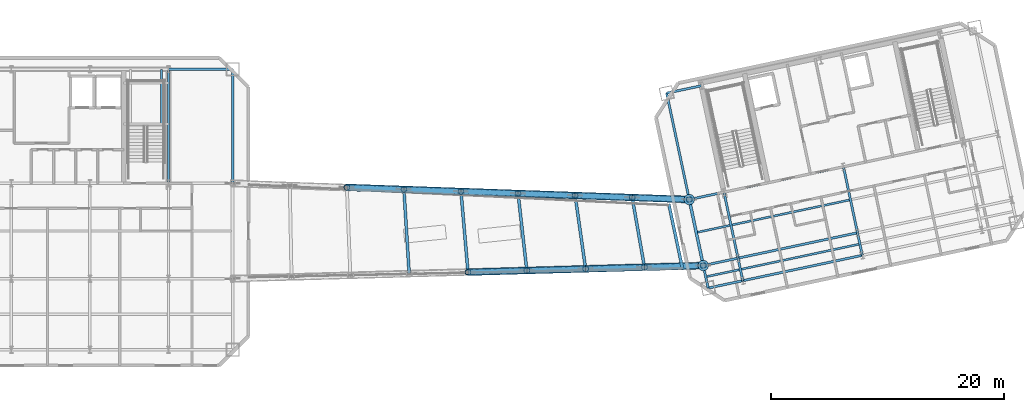
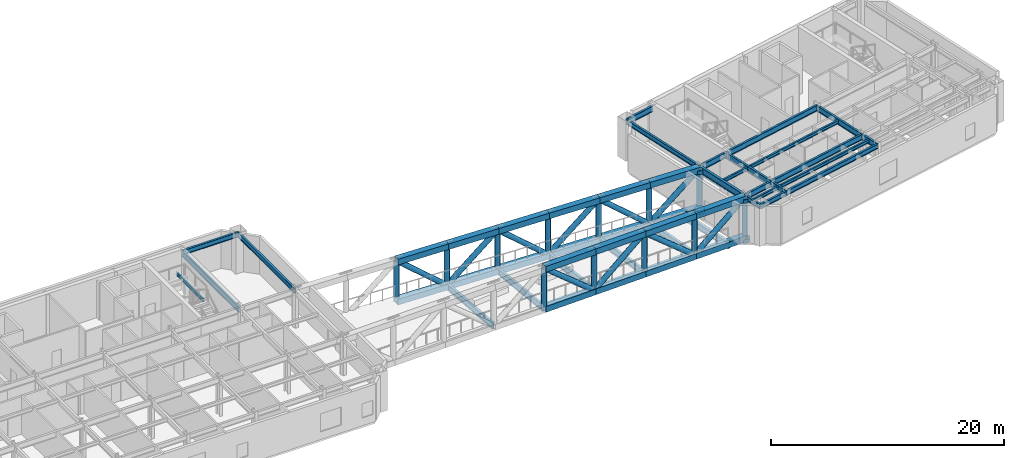
# One storey, part 4 of 14: 46 members, 28 beams.
"""IFC4 building model written with IfcOpenShell, lengths in metres."""

from ifc_helpers import new_model, si_unit, direction, frame, origin, origin_2d, place, context, subcontext, project, spatial, hollow_rectangle, circle, hollow_circle, i_section, extrude, material, material_profile, profile_set, type_object, element, save


model = new_model("IFC4")

# Units and contexts
model_context = context("Model", 3, precision=1e-05, world=origin(), true_north=direction((0.0, 1.0)))
body_context = subcontext(model_context, "Body", "Model", "MODEL_VIEW")
ifc_project = project(units=[si_unit("LENGTHUNIT", "METRE"), si_unit("AREAUNIT", "SQUARE_METRE"), si_unit("VOLUMEUNIT", "CUBIC_METRE"), si_unit("PLANEANGLEUNIT", "RADIAN"), si_unit("MASSUNIT", "GRAM", prefix="KILO")], contexts=[model_context])

# Site, building, storey
site_placement = place(None, origin())
site = spatial("IfcSite", under=ifc_project, at=site_placement, CompositionType="ELEMENT")
building_placement = place(site_placement, origin())
building = spatial("IfcBuilding", under=site, at=building_placement, Name="Haevon Station Towers", CompositionType="ELEMENT")
storey_placement = place(building_placement, frame((0.0, 0.0, 201.300048828125)))
storey = spatial("IfcBuildingStorey", under=building, at=storey_placement, Name="L55", CompositionType="ELEMENT", Elevation=201.300048828125)

# Beams
ifc_material_1 = material(Name="Steel S355", Category="steel")
ifc_material_profile_1 = material_profile(ifc_material_1, i_section(OverallWidth=0.199951171875, OverallDepth=0.60009765625, WebThickness=0.010986328125, FlangeThickness=0.01708984375, at=origin_2d()), Name="H-600x200x11x17")
ifc_profile_set_1 = profile_set([ifc_material_profile_1], Name="Steel S355")
beam_type_1 = type_object("IfcBeamType", Name="BM-G600", PredefinedType="BEAM", material=ifc_profile_set_1)
beam_1_placement = place(storey_placement, frame((51.0, 38.199951171875, 3.64990234375), z_axis=(0.0, 1.0, 0.0), x_axis=(-1.0, 0.0, 0.0)))
element("IfcBeam", 1, at=beam_1_placement, inside=storey, type_object=beam_type_1, Name="BM-T1V-L55-06-03", PredefinedType="BEAM", context=body_context, shape_type="SweptSolid", body=[
    extrude(i_section(OverallWidth=0.199951171875, OverallDepth=0.60009765625, WebThickness=0.010986328125, FlangeThickness=0.01708984375, at=origin_2d()), origin(), (0.0, 0.0, 1.0), 9.800048828125),
])
beam_2_placement = place(storey_placement, frame((96.974853515625, 31.135009765625, 3.64990234375), z_axis=(0.978154782045, 0.207877902534, 0.0), x_axis=(-0.207877902534, 0.978154782045, 0.0)))
element("IfcBeam", 2, at=beam_2_placement, inside=storey, type_object=beam_type_1, Name="BM-T2U-L55-02-01", PredefinedType="BEAM", context=body_context, shape_type="SweptSolid", body=[
    extrude(i_section(OverallWidth=0.199951171875, OverallDepth=0.60009765625, WebThickness=0.010986328125, FlangeThickness=0.01708984375, at=origin_2d()), origin(), (0.0, 0.0, 1.0), 3.050048828125),
])
beam_3_placement = place(storey_placement, frame((99.958251953125, 31.76904296875, 3.64990234375), z_axis=(0.978146794194, 0.207915485254, 0.0), x_axis=(-0.207915485254, 0.978146794194, 0.0)))
element("IfcBeam", 3, at=beam_3_placement, inside=storey, type_object=beam_type_1, Name="BM-T2U-L55-02-02", PredefinedType="BEAM", context=body_context, shape_type="SweptSolid", body=[
    extrude(i_section(OverallWidth=0.199951171875, OverallDepth=0.60009765625, WebThickness=0.010986328125, FlangeThickness=0.01708984375, at=origin_2d()), origin(), (0.0, 0.0, 1.0), 10.5),
])
beam_4_placement = place(storey_placement, frame((95.76904296875, 36.808349609375, 3.64990234375), z_axis=(0.978154782045, 0.207877902534, 0.0), x_axis=(-0.207877902534, 0.978154782045, 0.0)))
element("IfcBeam", 4, at=beam_4_placement, inside=storey, type_object=beam_type_1, Name="BM-T2U-L55-03-01", PredefinedType="BEAM", context=body_context, shape_type="SweptSolid", body=[
    extrude(i_section(OverallWidth=0.199951171875, OverallDepth=0.60009765625, WebThickness=0.010986328125, FlangeThickness=0.01708984375, at=origin_2d()), origin(), (0.0, 0.0, 1.0), 3.050048828125),
])
beam_5_placement = place(storey_placement, frame((98.75244140625, 37.4423828125, 3.64990234375), z_axis=(0.978146794194, 0.207915485254, 0.0), x_axis=(-0.207915485254, 0.978146794194, 0.0)))
element("IfcBeam", 5, at=beam_5_placement, inside=storey, type_object=beam_type_1, Name="BM-T2U-L55-03-02", PredefinedType="BEAM", context=body_context, shape_type="SweptSolid", body=[
    extrude(i_section(OverallWidth=0.199951171875, OverallDepth=0.60009765625, WebThickness=0.010986328125, FlangeThickness=0.01708984375, at=origin_2d()), origin(), (0.0, 0.0, 1.0), 10.5),
])
beam_6_placement = place(storey_placement, frame((93.824951171875, 45.953857421875, 3.64990234375), z_axis=(0.978138503145, 0.207954487003, 0.0), x_axis=(-0.207954487003, 0.978138503145, 0.0)))
element("IfcBeam", 6, at=beam_6_placement, inside=storey, type_object=beam_type_1, Name="BM-T2U-L55-04-01", PredefinedType="BEAM", context=body_context, shape_type="SweptSolid", body=[
    extrude(i_section(OverallWidth=0.199951171875, OverallDepth=0.60009765625, WebThickness=0.010986328125, FlangeThickness=0.01708984375, at=origin_2d()), origin(), (0.0, 0.0, 1.0), 3.050048828125),
])
beam_7_placement = place(storey_placement, frame((100.369873046875, 29.83251953125, 3.64990234375), z_axis=(-0.207911850433, 0.978147566806, 0.0), x_axis=(-0.978147566806, -0.207911850433, 0.0)))
element("IfcBeam", 7, at=beam_7_placement, inside=storey, type_object=beam_type_1, Name="BM-T2V-L55-02-01", PredefinedType="BEAM", context=body_context, shape_type="SweptSolid", body=[
    extrude(i_section(OverallWidth=0.199951171875, OverallDepth=0.60009765625, WebThickness=0.010986328125, FlangeThickness=0.01708984375, at=origin_2d()), origin(), (0.0, 0.0, 1.0), 1.979736328125),
])
beam_8_placement = place(storey_placement, frame((99.958251953125, 31.76904296875, 3.64990234375), z_axis=(-0.207896009217, 0.97815093383, 0.0), x_axis=(-0.97815093383, -0.207896009217, 0.0)))
element("IfcBeam", 8, at=beam_8_placement, inside=storey, type_object=beam_type_1, Name="BM-T2V-L55-02-02", PredefinedType="BEAM", context=body_context, shape_type="SweptSolid", body=[
    extrude(i_section(OverallWidth=0.199951171875, OverallDepth=0.60009765625, WebThickness=0.010986328125, FlangeThickness=0.01708984375, at=origin_2d()), origin(), (0.0, 0.0, 1.0), 5.800048828125),
])
beam_9_placement = place(storey_placement, frame((110.640380859375, 32.015380859375, 3.64990234375), z_axis=(-0.207886774674, 0.978152896492, 0.0), x_axis=(-0.978152896492, -0.207886774674, 0.0)))
element("IfcBeam", 9, at=beam_9_placement, inside=storey, type_object=beam_type_1, Name="BM-T2V-L55-03-01", PredefinedType="BEAM", context=body_context, shape_type="SweptSolid", body=[
    extrude(i_section(OverallWidth=0.199951171875, OverallDepth=0.60009765625, WebThickness=0.010986328125, FlangeThickness=0.01708984375, at=origin_2d()), origin(), (0.0, 0.0, 1.0), 1.97998046875),
])
beam_10_placement = place(storey_placement, frame((110.228759765625, 33.9521484375, 3.64990234375), z_axis=(-0.207896009217, 0.97815093383, 0.0), x_axis=(-0.97815093383, -0.207896009217, 0.0)))
element("IfcBeam", 10, at=beam_10_placement, inside=storey, type_object=beam_type_1, Name="BM-T2V-L55-03-02", PredefinedType="BEAM", context=body_context, shape_type="SweptSolid", body=[
    extrude(i_section(OverallWidth=0.199951171875, OverallDepth=0.60009765625, WebThickness=0.010986328125, FlangeThickness=0.01708984375, at=origin_2d()), origin(), (0.0, 0.0, 1.0), 5.800048828125),
])
ifc_material_profile_2 = material_profile(ifc_material_1, i_section(OverallWidth=0.25, OverallDepth=0.64990234375, WebThickness=0.012939453125, FlangeThickness=0.02197265625, at=origin_2d()), Name="H-650x250x13x22")
ifc_profile_set_2 = profile_set([ifc_material_profile_2], Name="Steel S355")
beam_type_2 = type_object("IfcBeamType", Name="BM-G650", PredefinedType="BEAM", material=ifc_profile_set_2)
beam_11_placement = place(storey_placement, frame((71.693603515625, 30.425537109375, -0.574951171875), z_axis=(-0.062221412816, 0.99806237069, 0.0), x_axis=(-0.99806237069, -0.062221412816, 0.0)))
element("IfcBeam", 11, at=beam_11_placement, inside=storey, type_object=beam_type_2, Name="BM-SKP-L55-3", PredefinedType="BEAM", context=body_context, shape_type="SweptSolid", body=[
    extrude(i_section(OverallWidth=0.25, OverallDepth=0.64990234375, WebThickness=0.012939453125, FlangeThickness=0.02197265625, at=origin_2d()), origin(), (0.0, 0.0, 1.0), 7.266845703125),
])
beam_12_placement = place(storey_placement, frame((76.75, 30.567626953125, -0.574951171875), z_axis=(-0.086608433129, 0.996242429989, 0.0), x_axis=(-0.996242429989, -0.086608433129, 0.0)))
element("IfcBeam", 12, at=beam_12_placement, inside=storey, type_object=beam_type_2, Name="BM-SKP-L55-4", PredefinedType="BEAM", context=body_context, shape_type="SweptSolid", body=[
    extrude(i_section(OverallWidth=0.25, OverallDepth=0.64990234375, WebThickness=0.012939453125, FlangeThickness=0.02197265625, at=origin_2d()), origin(), (0.0, 0.0, 1.0), 6.962646484375),
])
beam_13_placement = place(storey_placement, frame((81.80615234375, 30.70947265625, -0.574951171875), z_axis=(-0.113105344273, 0.993583001614, 0.0), x_axis=(-0.993583001614, -0.113105344273, 0.0)))
element("IfcBeam", 13, at=beam_13_placement, inside=storey, type_object=beam_type_2, Name="BM-SKP-L55-5", PredefinedType="BEAM", context=body_context, shape_type="SweptSolid", body=[
    extrude(i_section(OverallWidth=0.25, OverallDepth=0.64990234375, WebThickness=0.012939453125, FlangeThickness=0.02197265625, at=origin_2d()), origin(), (0.0, 0.0, 1.0), 6.663330078125),
])
beam_14_placement = place(storey_placement, frame((86.8623046875, 30.851318359375, -0.574951171875), z_axis=(-0.14197405175, 0.989870379711, 0.0), x_axis=(-0.989870379711, -0.14197405175, 0.0)))
element("IfcBeam", 14, at=beam_14_placement, inside=storey, type_object=beam_type_2, Name="BM-SKP-L55-6", PredefinedType="BEAM", context=body_context, shape_type="SweptSolid", body=[
    extrude(i_section(OverallWidth=0.25, OverallDepth=0.64990234375, WebThickness=0.012939453125, FlangeThickness=0.02197265625, at=origin_2d()), origin(), (0.0, 0.0, 1.0), 6.369384765625),
])
beam_15_placement = place(storey_placement, frame((91.918701171875, 30.9931640625, -0.574951171875), z_axis=(-0.173512789703, 0.984831615968, 0.0), x_axis=(-0.984831615968, -0.173512789703, 0.0)))
element("IfcBeam", 15, at=beam_15_placement, inside=storey, type_object=beam_type_2, Name="BM-SKP-L55-7", PredefinedType="BEAM", context=body_context, shape_type="SweptSolid", body=[
    extrude(i_section(OverallWidth=0.25, OverallDepth=0.64990234375, WebThickness=0.012939453125, FlangeThickness=0.02197265625, at=origin_2d()), origin(), (0.0, 0.0, 1.0), 6.081298828125),
])
beam_16_placement = place(storey_placement, frame((95.214111328125, 30.7607421875, -0.574951171875), z_axis=(-0.207896009217, 0.97815093383, 0.0), x_axis=(-0.97815093383, -0.207896009217, 0.0)))
element("IfcBeam", 16, at=beam_16_placement, inside=storey, type_object=beam_type_2, Name="BM-SKP-L55-EEDGE", PredefinedType="BEAM", context=body_context, shape_type="SweptSolid", body=[
    extrude(i_section(OverallWidth=0.25, OverallDepth=0.64990234375, WebThickness=0.012939453125, FlangeThickness=0.02197265625, at=origin_2d()), origin(), (0.0, 0.0, 1.0), 5.800048828125),
])
ifc_material_profile_3 = material_profile(ifc_material_1, i_section(OverallWidth=0.25, OverallDepth=0.699951171875, WebThickness=0.012939453125, FlangeThickness=0.02392578125, at=origin_2d()), Name="H-700x250x13x24")
ifc_profile_set_3 = profile_set([ifc_material_profile_3], Name="Steel S355")
beam_type_3 = type_object("IfcBeamType", Name="BM-G700", PredefinedType="BEAM", material=ifc_profile_set_3)
beam_17_placement = place(storey_placement, frame((96.974853515625, 31.135009765625, 3.599853515625), z_axis=(-0.207896009217, 0.97815093383, 0.0), x_axis=(-0.97815093383, -0.207896009217, 0.0)))
element("IfcBeam", 17, at=beam_17_placement, inside=storey, type_object=beam_type_3, Name="BM-T2V-L55-01-02", PredefinedType="BEAM", context=body_context, shape_type="SweptSolid", body=[
    extrude(i_section(OverallWidth=0.25, OverallDepth=0.699951171875, WebThickness=0.012939453125, FlangeThickness=0.02392578125, at=origin_2d()), origin(), (0.0, 0.0, 1.0), 5.800048828125),
])
ifc_material_profile_4 = material_profile(ifc_material_1, i_section(OverallWidth=0.175048828125, OverallDepth=0.35009765625, WebThickness=0.007080078125, FlangeThickness=0.010986328125, at=origin_2d()), Name="H-350x175x7x11")
ifc_profile_set_4 = profile_set([ifc_material_profile_4], Name="Steel S355")
beam_type_4 = type_object("IfcBeamType", Name="BM-J350", PredefinedType="JOIST", material=ifc_profile_set_4)
beam_18_placement = place(storey_placement, frame((97.288330078125, 30.189453125, 3.77490234375), z_axis=(0.9781470094, 0.207914472804, 0.0), x_axis=(-0.207914472804, 0.9781470094, 0.0)))
element("IfcBeam", 18, at=beam_18_placement, inside=storey, type_object=beam_type_4, Name="BM-T2J-L55-01-01", PredefinedType="JOIST", context=body_context, shape_type="SweptSolid", body=[
    extrude(i_section(OverallWidth=0.175048828125, OverallDepth=0.35009765625, WebThickness=0.007080078125, FlangeThickness=0.010986328125, at=origin_2d()), origin(), (0.0, 0.0, 1.0), 2.829833984375),
])
beam_19_placement = place(storey_placement, frame((100.271728515625, 30.82373046875, 3.77490234375), z_axis=(0.978149313139, 0.20790363442, 0.0), x_axis=(-0.20790363442, 0.978149313139, 0.0)))
element("IfcBeam", 19, at=beam_19_placement, inside=storey, type_object=beam_type_4, Name="BM-T2J-L55-01-02", PredefinedType="JOIST", context=body_context, shape_type="SweptSolid", body=[
    extrude(i_section(OverallWidth=0.175048828125, OverallDepth=0.35009765625, WebThickness=0.007080078125, FlangeThickness=0.010986328125, at=origin_2d()), origin(), (0.0, 0.0, 1.0), 10.27978515625),
])
beam_20_placement = place(storey_placement, frame((96.4794921875, 33.99462890625, 3.77490234375), z_axis=(0.978150738312, 0.207896929124, 0.0), x_axis=(-0.207896929124, 0.978150738312, 0.0)))
element("IfcBeam", 20, at=beam_20_placement, inside=storey, type_object=beam_type_4, Name="BM-T2J-L55-02-01", PredefinedType="JOIST", context=body_context, shape_type="SweptSolid", body=[
    extrude(i_section(OverallWidth=0.175048828125, OverallDepth=0.35009765625, WebThickness=0.007080078125, FlangeThickness=0.010986328125, at=origin_2d()), origin(), (0.0, 0.0, 1.0), 2.830078125),
])
beam_21_placement = place(storey_placement, frame((99.462890625, 34.628662109375, 3.77490234375), z_axis=(0.978150339653, 0.207898804801, 0.0), x_axis=(-0.207898804801, 0.978150339653, 0.0)))
element("IfcBeam", 21, at=beam_21_placement, inside=storey, type_object=beam_type_4, Name="BM-T2J-L55-02-02", PredefinedType="JOIST", context=body_context, shape_type="SweptSolid", body=[
    extrude(i_section(OverallWidth=0.175048828125, OverallDepth=0.35009765625, WebThickness=0.007080078125, FlangeThickness=0.010986328125, at=origin_2d()), origin(), (0.0, 0.0, 1.0), 10.280029296875),
])
ifc_material_profile_5 = material_profile(ifc_material_1, i_section(OverallWidth=0.14990234375, OverallDepth=0.300048828125, WebThickness=0.006591796875, FlangeThickness=0.009033203125, at=origin_2d()), Name="H-300x150x6.5x9")
ifc_profile_set_5 = profile_set([ifc_material_profile_5], Name="Steel S355")
beam_type_5 = type_object("IfcBeamType", Name="BM-LIN300", PredefinedType="LINTEL", material=ifc_profile_set_5)
beam_22_placement = place(storey_placement, frame((50.39990234375, 43.303955078125, 1.75), z_axis=(0.0, 1.0, 0.0), x_axis=(-1.0, 0.0, 0.0)))
element("IfcBeam", 22, at=beam_22_placement, inside=storey, type_object=beam_type_5, Name="BM-ST2L-L55-1-E", PredefinedType="LINTEL", context=body_context, shape_type="SweptSolid", body=[
    extrude(i_section(OverallWidth=0.14990234375, OverallDepth=0.300048828125, WebThickness=0.006591796875, FlangeThickness=0.009033203125, at=origin_2d()), origin(), (0.0, 0.0, 1.0), 4.696044921875),
])
ifc_material_profile_6 = material_profile(ifc_material_1, i_section(OverallWidth=0.199951171875, OverallDepth=0.5, WebThickness=0.010009765625, FlangeThickness=0.01611328125, at=origin_2d()), Name="H-500x200x10x16")
ifc_profile_set_6 = profile_set([ifc_material_profile_6], Name="Steel S355")
beam_type_6 = type_object("IfcBeamType", Name="BM-SP500", PredefinedType="SPANDREL", material=ifc_profile_set_6)
beam_23_placement = place(storey_placement, frame((51.0, 48.0, 3.699951171875), z_axis=(1.0, 0.0, 0.0), x_axis=(0.0, 1.0, 0.0)))
element("IfcBeam", 23, at=beam_23_placement, inside=storey, type_object=beam_type_6, Name="BM-T1U-L55-04-06", PredefinedType="SPANDREL", context=body_context, shape_type="SweptSolid", body=[
    extrude(i_section(OverallWidth=0.199951171875, OverallDepth=0.5, WebThickness=0.010009765625, FlangeThickness=0.01611328125, at=origin_2d()), origin(), (0.0, 0.0, 1.0), 5.52490234375),
])
beam_24_placement = place(storey_placement, frame((56.52490234375, 38.199951171875, 3.699951171875), z_axis=(0.0, 1.0, 0.0), x_axis=(-1.0, 0.0, 0.0)))
element("IfcBeam", 24, at=beam_24_placement, inside=storey, type_object=beam_type_6, Name="BM-T1V-L55-07-03", PredefinedType="SPANDREL", context=body_context, shape_type="SweptSolid", body=[
    extrude(i_section(OverallWidth=0.199951171875, OverallDepth=0.5, WebThickness=0.010009765625, FlangeThickness=0.01611328125, at=origin_2d()), origin(), (0.0, 0.0, 1.0), 9.800048828125),
])
beam_25_placement = place(storey_placement, frame((97.386474609375, 29.1982421875, 3.699951171875), z_axis=(0.978138503145, 0.207954487003, 0.0), x_axis=(-0.207954487003, 0.978138503145, 0.0)))
element("IfcBeam", 25, at=beam_25_placement, inside=storey, type_object=beam_type_6, Name="BM-T2U-L55-01-01", PredefinedType="SPANDREL", context=body_context, shape_type="SweptSolid", body=[
    extrude(i_section(OverallWidth=0.199951171875, OverallDepth=0.5, WebThickness=0.010009765625, FlangeThickness=0.01611328125, at=origin_2d()), origin(), (0.0, 0.0, 1.0), 3.050048828125),
])
beam_26_placement = place(storey_placement, frame((100.369873046875, 29.83251953125, 3.699951171875), z_axis=(0.978151522678, 0.207893238667, 0.0), x_axis=(-0.207893238667, 0.978151522678, 0.0)))
element("IfcBeam", 26, at=beam_26_placement, inside=storey, type_object=beam_type_6, Name="BM-T2U-L55-01-02", PredefinedType="SPANDREL", context=body_context, shape_type="SweptSolid", body=[
    extrude(i_section(OverallWidth=0.199951171875, OverallDepth=0.5, WebThickness=0.010009765625, FlangeThickness=0.01611328125, at=origin_2d()), origin(), (0.0, 0.0, 1.0), 10.5),
])
beam_27_placement = place(storey_placement, frame((97.386474609375, 29.1982421875, 3.699951171875), z_axis=(-0.207886774674, 0.978152896492, 0.0), x_axis=(-0.978152896492, -0.207886774674, 0.0)))
element("IfcBeam", 27, at=beam_27_placement, inside=storey, type_object=beam_type_6, Name="BM-T2V-L55-01-01", PredefinedType="SPANDREL", context=body_context, shape_type="SweptSolid", body=[
    extrude(i_section(OverallWidth=0.199951171875, OverallDepth=0.5, WebThickness=0.010009765625, FlangeThickness=0.01611328125, at=origin_2d()), origin(), (0.0, 0.0, 1.0), 1.97998046875),
])
beam_28_placement = place(storey_placement, frame((95.76904296875, 36.808349609375, 3.699951171875), z_axis=(-0.207927460032, 0.978144248751, 0.0), x_axis=(-0.978144248751, -0.207927460032, 0.0)))
element("IfcBeam", 28, at=beam_28_placement, inside=storey, type_object=beam_type_6, Name="BM-T2V-L55-01-03", PredefinedType="SPANDREL", context=body_context, shape_type="SweptSolid", body=[
    extrude(i_section(OverallWidth=0.199951171875, OverallDepth=0.5, WebThickness=0.010009765625, FlangeThickness=0.01611328125, at=origin_2d()), origin(), (0.0, 0.0, 1.0), 9.349853515625),
])

# Members
ifc_material_2 = material(Name="Stainless steel and PTFE EN 1337-7", Category="steel")
ifc_material_profile_7 = material_profile(ifc_material_2, circle(Radius=0.449951171875, at=origin_2d()), Name="PTFE-BEARING-D900")
ifc_profile_set_7 = profile_set([ifc_material_profile_7], Name="Stainless steel and PTFE EN 1337-7")
member_type_1 = type_object("IfcMemberType", Name="BRG-PTFE900", PredefinedType="USERDEFINED", material=ifc_profile_set_7)
member_1_placement = place(storey_placement, frame((96.974853515625, 31.135009765625, -0.900146484375), z_axis=(0.0, 0.0, 1.0), x_axis=(1.0, 0.0, 0.0)))
element("IfcMember", 29, at=member_1_placement, inside=storey, type_object=member_type_1, Name="SKY-PARK SLIDING PTFE BEARING", ObjectType="BEARING", PredefinedType="USERDEFINED", context=body_context, shape_type="SweptSolid", body=[
    extrude(circle(Radius=0.449951171875, at=origin_2d()), origin(), (0.0, 0.0, 1.0), 0.35009765625),
])
member_2_placement = place(storey_placement, frame((96.974853515625, 31.135009765625, 3.300048828125), z_axis=(0.0, 0.0, 1.0), x_axis=(1.0, 0.0, 0.0)))
element("IfcMember", 30, at=member_2_placement, inside=storey, type_object=member_type_1, Name="SKY-PARK SLIDING PTFE BEARING", ObjectType="BEARING", PredefinedType="USERDEFINED", context=body_context, shape_type="SweptSolid", body=[
    extrude(circle(Radius=0.449951171875, at=origin_2d()), origin(), (0.0, 0.0, 1.0), 0.349853515625),
])
member_3_placement = place(storey_placement, frame((95.76904296875, 36.808349609375, -0.900146484375), z_axis=(0.0, 0.0, 1.0), x_axis=(1.0, 0.0, 0.0)))
element("IfcMember", 31, at=member_3_placement, inside=storey, type_object=member_type_1, Name="SKY-PARK SLIDING PTFE BEARING", ObjectType="BEARING", PredefinedType="USERDEFINED", context=body_context, shape_type="SweptSolid", body=[
    extrude(circle(Radius=0.449951171875, at=origin_2d()), origin(), (0.0, 0.0, 1.0), 0.35009765625),
])
member_4_placement = place(storey_placement, frame((95.76904296875, 36.808349609375, 3.300048828125), z_axis=(0.0, 0.0, 1.0), x_axis=(1.0, 0.0, 0.0)))
element("IfcMember", 32, at=member_4_placement, inside=storey, type_object=member_type_1, Name="SKY-PARK SLIDING PTFE BEARING", ObjectType="BEARING", PredefinedType="USERDEFINED", context=body_context, shape_type="SweptSolid", body=[
    extrude(circle(Radius=0.449951171875, at=origin_2d()), origin(), (0.0, 0.0, 1.0), 0.349853515625),
])
ifc_material_3 = material(Name="Steel S460", Category="steel")
ifc_material_profile_8 = material_profile(ifc_material_3, hollow_circle(Radius=0.25390625, WallThickness=0.02197265625, at=origin_2d()), Name="CHS-508x22")
ifc_profile_set_8 = profile_set([ifc_material_profile_8], Name="Steel S460")
member_type_2 = type_object("IfcMemberType", Name="BRSKP-508", PredefinedType="BRACE", material=ifc_profile_set_8)
for number, where, z_axis, x_axis, name in (
    (33, (76.75, 30.567626953125, 3.64990234375), (0.769052045495, 0.021575047727, -0.638821938129), (-0.028043046946, 0.999606716423, 0.0), "BR-SKP-S-L55-5"),
    (34, (81.80615234375, 30.70947265625, -0.550048828125), (0.769052045495, 0.021575047727, 0.638821938129), (-0.028043046946, 0.999606716423, 0.0), "BR-SKP-S-L55-6"),
):
    element("IfcMember", number, at=place(storey_placement, frame(where, z_axis=z_axis, x_axis=x_axis)), inside=storey, type_object=member_type_2, Name=name, PredefinedType="BRACE", context=body_context, shape_type="SweptSolid", body=[
        extrude(hollow_circle(Radius=0.25390625, WallThickness=0.02197265625, at=origin_2d()), origin(), (0.0, 0.0, 1.0), 6.574462890625),
    ])
member_5_placement = place(storey_placement, frame((86.8623046875, 30.851318359375, 3.64990234375), z_axis=(0.76906721641, 0.021574431594, -0.638803694843), x_axis=(-0.028041693993, 0.999606754378, 0.0)))
element("IfcMember", 35, at=member_5_placement, inside=storey, type_object=member_type_2, Name="BR-SKP-S-L55-7", PredefinedType="BRACE", context=body_context, shape_type="SweptSolid", body=[
    extrude(hollow_circle(Radius=0.25390625, WallThickness=0.02197265625, at=origin_2d()), origin(), (0.0, 0.0, 1.0), 6.57470703125),
])
member_6_placement = place(storey_placement, frame((91.918701171875, 30.9931640625, -0.550048828125), z_axis=(0.769052045495, 0.021575047727, 0.638821938129), x_axis=(-0.028043046946, 0.999606716423, 0.0)))
element("IfcMember", 36, at=member_6_placement, inside=storey, type_object=member_type_2, Name="BR-SKP-S-L55-8", PredefinedType="BRACE", context=body_context, shape_type="SweptSolid", body=[
    extrude(hollow_circle(Radius=0.25390625, WallThickness=0.02197265625, at=origin_2d()), origin(), (0.0, 0.0, 1.0), 6.574462890625),
])
for number, where, z_axis, x_axis, name in (
    (37, (66.3359375, 37.85205078125, 3.64990234375), (0.75934704126, -0.02690763417, -0.650129256497), (0.035412999913, 0.999372763005, 0.0), "BR-SKP-N-L55-3"),
    (38, (71.241455078125, 37.67822265625, -0.550048828125), (0.759346268552, -0.026945398371, 0.650128594928), (0.035462674767, 0.99937100153, 0.0), "BR-SKP-N-L55-4"),
    (39, (76.14697265625, 37.504150390625, 3.64990234375), (0.759346268552, -0.026945398371, -0.650128594928), (0.035462674767, 0.99937100153, 0.0), "BR-SKP-N-L55-5"),
    (40, (81.052490234375, 37.330078125, -0.550048828125), (0.75934704126, -0.02690763417, 0.650129256497), (0.035412999913, 0.999372763005, 0.0), "BR-SKP-N-L55-6"),
    (41, (85.9580078125, 37.15625, 3.64990234375), (0.759346268552, -0.026945398371, -0.650128594928), (0.035462674767, 0.99937100153, 0.0), "BR-SKP-N-L55-7"),
    (42, (90.863525390625, 36.982177734375, -0.550048828125), (0.75934704126, -0.02690763417, 0.650129256497), (0.035412999913, 0.999372763005, 0.0), "BR-SKP-N-L55-8"),
):
    element("IfcMember", number, at=place(storey_placement, frame(where, z_axis=z_axis, x_axis=x_axis)), inside=storey, type_object=member_type_2, Name=name, PredefinedType="BRACE", context=body_context, shape_type="SweptSolid", body=[
        extrude(hollow_circle(Radius=0.25390625, WallThickness=0.02197265625, at=origin_2d()), origin(), (0.0, 0.0, 1.0), 6.460205078125),
    ])
ifc_material_profile_9 = material_profile(ifc_material_3, hollow_rectangle(XDim=0.60009765625, YDim=0.60009765625, WallThickness=0.030029296875, at=origin_2d()), Name="RHS-600x600x30")
ifc_profile_set_9 = profile_set([ifc_material_profile_9], Name="Steel S460")
member_type_3 = type_object("IfcMemberType", Name="CHSKP-600", PredefinedType="CHORD", material=ifc_profile_set_9)
for number, where, z_axis, x_axis, name in (
    (43, (76.75, 30.567626953125, -0.550048828125), (0.999606716423, 0.028043046946, 0.0), (-0.028043046946, 0.999606716423, 0.0), "CH-SKP-S-MID-5"),
    (44, (76.75, 30.567626953125, 3.64990234375), (0.999606716423, 0.028043046946, 0.0), (-0.028043046946, 0.999606716423, 0.0), "CH-SKP-S-TOP-5"),
    (45, (81.80615234375, 30.70947265625, -0.550048828125), (0.999606716423, 0.028043046946, 0.0), (-0.028043046946, 0.999606716423, 0.0), "CH-SKP-S-MID-6"),
    (46, (81.80615234375, 30.70947265625, 3.64990234375), (0.999606716423, 0.028043046946, 0.0), (-0.028043046946, 0.999606716423, 0.0), "CH-SKP-S-TOP-6"),
):
    element("IfcMember", number, at=place(storey_placement, frame(where, z_axis=z_axis, x_axis=x_axis)), inside=storey, type_object=member_type_3, Name=name, PredefinedType="CHORD", context=body_context, shape_type="SweptSolid", body=[
        extrude(hollow_rectangle(XDim=0.60009765625, YDim=0.60009765625, WallThickness=0.030029296875, at=origin_2d()), origin(), (0.0, 0.0, 1.0), 5.05810546875),
    ])
for number, where, z_axis, x_axis, name in (
    (47, (86.8623046875, 30.851318359375, -0.550048828125), (0.999606754378, 0.028041693993, 0.0), (-0.028041693993, 0.999606754378, 0.0), "CH-SKP-S-MID-7"),
    (48, (86.8623046875, 30.851318359375, 3.64990234375), (0.999606754378, 0.028041693993, 0.0), (-0.028041693993, 0.999606754378, 0.0), "CH-SKP-S-TOP-7"),
):
    element("IfcMember", number, at=place(storey_placement, frame(where, z_axis=z_axis, x_axis=x_axis)), inside=storey, type_object=member_type_3, Name=name, PredefinedType="CHORD", context=body_context, shape_type="SweptSolid", body=[
        extrude(hollow_rectangle(XDim=0.60009765625, YDim=0.60009765625, WallThickness=0.030029296875, at=origin_2d()), origin(), (0.0, 0.0, 1.0), 5.058349609375),
    ])
for number, where, z_axis, x_axis, name in (
    (49, (91.918701171875, 30.9931640625, -0.550048828125), (0.999606716423, 0.028043046946, 0.0), (-0.028043046946, 0.999606716423, 0.0), "CH-SKP-S-MID-8"),
    (50, (91.918701171875, 30.9931640625, 3.64990234375), (0.999606716423, 0.028043046946, 0.0), (-0.028043046946, 0.999606716423, 0.0), "CH-SKP-S-TOP-8"),
):
    element("IfcMember", number, at=place(storey_placement, frame(where, z_axis=z_axis, x_axis=x_axis)), inside=storey, type_object=member_type_3, Name=name, PredefinedType="CHORD", context=body_context, shape_type="SweptSolid", body=[
        extrude(hollow_rectangle(XDim=0.60009765625, YDim=0.60009765625, WallThickness=0.030029296875, at=origin_2d()), origin(), (0.0, 0.0, 1.0), 5.05810546875),
    ])
for number, where, z_axis, x_axis, name in (
    (51, (66.3359375, 37.85205078125, -0.550048828125), (0.999372763005, -0.035412999913, 0.0), (0.035412999913, 0.999372763005, 0.0), "CH-SKP-N-MID-3"),
    (52, (66.3359375, 37.85205078125, 3.64990234375), (0.999372763005, -0.035412999913, 0.0), (0.035412999913, 0.999372763005, 0.0), "CH-SKP-N-TOP-3"),
    (53, (71.241455078125, 37.67822265625, -0.550048828125), (0.99937100153, -0.035462674767, 0.0), (0.035462674767, 0.99937100153, 0.0), "CH-SKP-N-MID-4"),
    (54, (71.241455078125, 37.67822265625, 3.64990234375), (0.99937100153, -0.035462674767, 0.0), (0.035462674767, 0.99937100153, 0.0), "CH-SKP-N-TOP-4"),
    (55, (76.14697265625, 37.504150390625, -0.550048828125), (0.99937100153, -0.035462674767, 0.0), (0.035462674767, 0.99937100153, 0.0), "CH-SKP-N-MID-5"),
    (56, (76.14697265625, 37.504150390625, 3.64990234375), (0.99937100153, -0.035462674767, 0.0), (0.035462674767, 0.99937100153, 0.0), "CH-SKP-N-TOP-5"),
    (57, (81.052490234375, 37.330078125, -0.550048828125), (0.999372763005, -0.035412999913, 0.0), (0.035412999913, 0.999372763005, 0.0), "CH-SKP-N-MID-6"),
    (58, (81.052490234375, 37.330078125, 3.64990234375), (0.999372763005, -0.035412999913, 0.0), (0.035412999913, 0.999372763005, 0.0), "CH-SKP-N-TOP-6"),
    (59, (85.9580078125, 37.15625, -0.550048828125), (0.99937100153, -0.035462674767, 0.0), (0.035462674767, 0.99937100153, 0.0), "CH-SKP-N-MID-7"),
    (60, (85.9580078125, 37.15625, 3.64990234375), (0.99937100153, -0.035462674767, 0.0), (0.035462674767, 0.99937100153, 0.0), "CH-SKP-N-TOP-7"),
    (61, (90.863525390625, 36.982177734375, -0.550048828125), (0.999372763005, -0.035412999913, 0.0), (0.035412999913, 0.999372763005, 0.0), "CH-SKP-N-MID-8"),
    (62, (90.863525390625, 36.982177734375, 3.64990234375), (0.999372763005, -0.035412999913, 0.0), (0.035412999913, 0.999372763005, 0.0), "CH-SKP-N-TOP-8"),
):
    element("IfcMember", number, at=place(storey_placement, frame(where, z_axis=z_axis, x_axis=x_axis)), inside=storey, type_object=member_type_3, Name=name, PredefinedType="CHORD", context=body_context, shape_type="SweptSolid", body=[
        extrude(hollow_rectangle(XDim=0.60009765625, YDim=0.60009765625, WallThickness=0.030029296875, at=origin_2d()), origin(), (0.0, 0.0, 1.0), 4.90869140625),
    ])
ifc_material_profile_10 = material_profile(ifc_material_3, hollow_circle(Radius=0.25390625, WallThickness=0.02197265625, at=origin_2d()), Name="CHS-508x22")
ifc_profile_set_10 = profile_set([ifc_material_profile_10], Name="Steel S460")
member_type_4 = type_object("IfcMemberType", Name="PSSKP-508", PredefinedType="POST", material=ifc_profile_set_10)
for number, where, z_axis, x_axis, name in (
    (63, (76.75, 30.567626953125, -0.550048828125), (0.0, 0.0, 1.0), (1.0, 0.0, 0.0), "PS-SKP-S-L55-5"),
    (64, (81.80615234375, 30.70947265625, -0.550048828125), (0.0, 0.0, 1.0), (1.0, 0.0, 0.0), "PS-SKP-S-L55-6"),
    (65, (86.8623046875, 30.851318359375, -0.550048828125), (0.0, 0.0, 1.0), (1.0, 0.0, 0.0), "PS-SKP-S-L55-7"),
    (66, (91.918701171875, 30.9931640625, -0.550048828125), (0.0, 0.0, 1.0), (1.0, 0.0, 0.0), "PS-SKP-S-L55-8"),
    (67, (96.974853515625, 31.135009765625, -0.550048828125), (0.0, 0.0, 1.0), (1.0, 0.0, 0.0), "PS-SKP-S-L55-9"),
    (68, (66.3359375, 37.85205078125, -0.550048828125), (0.0, 0.0, 1.0), (1.0, 0.0, 0.0), "PS-SKP-N-L55-3"),
    (69, (71.241455078125, 37.67822265625, -0.550048828125), (0.0, 0.0, 1.0), (1.0, 0.0, 0.0), "PS-SKP-N-L55-4"),
    (70, (76.14697265625, 37.504150390625, -0.550048828125), (0.0, 0.0, 1.0), (1.0, 0.0, 0.0), "PS-SKP-N-L55-5"),
    (71, (81.052490234375, 37.330078125, -0.550048828125), (0.0, 0.0, 1.0), (1.0, 0.0, 0.0), "PS-SKP-N-L55-6"),
    (72, (85.9580078125, 37.15625, -0.550048828125), (0.0, 0.0, 1.0), (1.0, 0.0, 0.0), "PS-SKP-N-L55-7"),
    (73, (90.863525390625, 36.982177734375, -0.550048828125), (0.0, 0.0, 1.0), (1.0, 0.0, 0.0), "PS-SKP-N-L55-8"),
    (74, (95.76904296875, 36.808349609375, -0.550048828125), (0.0, 0.0, 1.0), (1.0, 0.0, 0.0), "PS-SKP-N-L55-9"),
):
    element("IfcMember", number, at=place(storey_placement, frame(where, z_axis=z_axis, x_axis=x_axis)), inside=storey, type_object=member_type_4, Name=name, PredefinedType="POST", context=body_context, shape_type="SweptSolid", body=[
        extrude(hollow_circle(Radius=0.25390625, WallThickness=0.02197265625, at=origin_2d()), origin(), (0.0, 0.0, 1.0), 4.199951171875),
    ])

save(model, "model.ifc")
